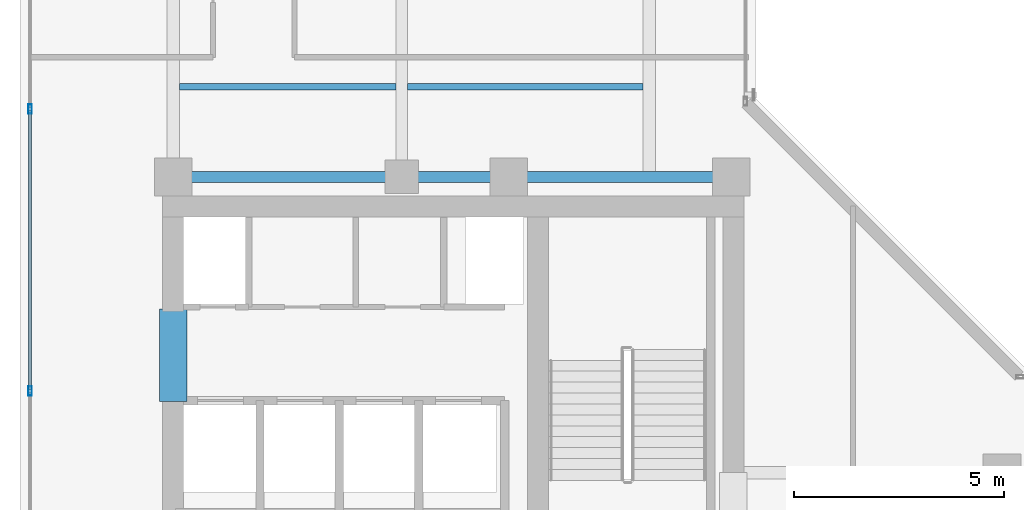
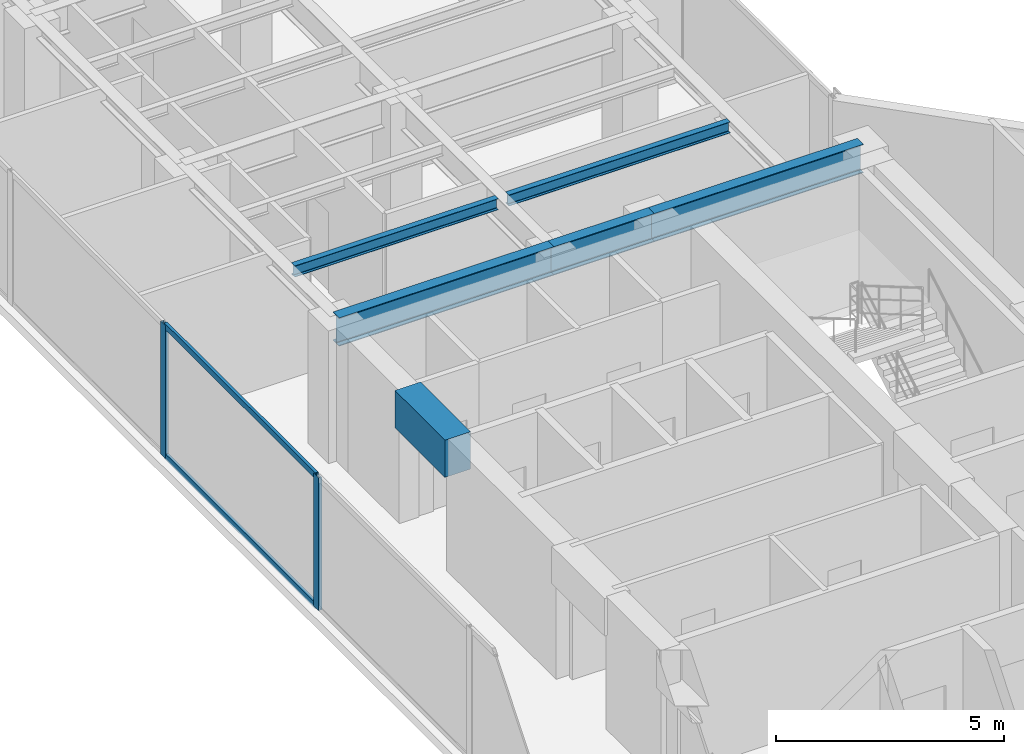
# One storey, part 6 of 23: 6 beams, 4 members, 1 element without a shape of its own.
"""IFC4 building model written with IfcOpenShell, lengths in metres."""

from ifc_helpers import new_model, si_unit, direction, frame, origin, origin_with_axes, origin_2d, place, context, subcontext, project, spatial, rectangle, hollow_rectangle, i_section, extrude, source, transform, mapped, material, layer, layer_set, material_profile, profile_set, type_object, element, aggregate, save


model = new_model("IFC4")

# Units and contexts
model_context = context("Model", 3, precision=1e-05, world=origin(), true_north=direction((0.0, 1.0)))
body_context = subcontext(model_context, "Body", "Model", "MODEL_VIEW")
ifc_project = project(units=[si_unit("LENGTHUNIT", "METRE"), si_unit("AREAUNIT", "SQUARE_METRE"), si_unit("VOLUMEUNIT", "CUBIC_METRE"), si_unit("PLANEANGLEUNIT", "RADIAN"), si_unit("MASSUNIT", "GRAM", prefix="KILO")], contexts=[model_context])

# Site, building, storey
site_placement = place(None, origin())
site = spatial("IfcSite", under=ifc_project, at=site_placement, CompositionType="ELEMENT")
building_placement = place(site_placement, origin())
building = spatial("IfcBuilding", under=site, at=building_placement, Name="Kolvaren Waterfront Exchange", CompositionType="ELEMENT")
storey_placement = place(building_placement, frame((0.0, 0.0, 289.39990234375)))
storey = spatial("IfcBuildingStorey", under=building, at=storey_placement, Name="L74", CompositionType="ELEMENT", Elevation=289.39990234375)

# Beams
ifc_material_1 = material(Name="Steel S355", Category="steel")
ifc_material_profile_1 = material_profile(ifc_material_1, i_section(OverallWidth=0.14990234375, OverallDepth=0.300048828125, WebThickness=0.007080078125, FlangeThickness=0.0107421875, FilletRadius=0.014892578125, at=origin_2d()), Name="IPE300")
ifc_profile_set_1 = profile_set([ifc_material_profile_1], Name="Steel S355")
beam_type_1 = type_object("IfcBeamType", Name="STR-BM-IPE300", PredefinedType="JOIST", material=ifc_profile_set_1)
beam_1_placement = place(storey_placement, frame((7.60205078125, 26.60009765625, 3.41015625), z_axis=(1.0, 0.0, 0.0), x_axis=(0.0, 1.0, 0.0)))
element("IfcBeam", 1, at=beam_1_placement, inside=storey, type_object=beam_type_1, Name="L74 north-arm composite joist 1A", PredefinedType="JOIST", context=body_context, shape_type="SweptSolid", body=[
    extrude(i_section(OverallWidth=0.14990234375, OverallDepth=0.300048828125, WebThickness=0.007080078125, FlangeThickness=0.0107421875, FilletRadius=0.014892578125, at=origin_2d()), origin(), (0.0, 0.0, 1.0), 5.162353515625),
])
beam_2_placement = place(storey_placement, frame((13.035400390625, 26.60009765625, 3.41015625), z_axis=(1.0, 0.0, 0.0), x_axis=(0.0, 1.0, 0.0)))
element("IfcBeam", 2, at=beam_2_placement, inside=storey, type_object=beam_type_1, Name="L74 north-arm composite joist 1B", PredefinedType="JOIST", context=body_context, shape_type="SweptSolid", body=[
    extrude(i_section(OverallWidth=0.14990234375, OverallDepth=0.300048828125, WebThickness=0.007080078125, FlangeThickness=0.0107421875, FilletRadius=0.014892578125, at=origin_2d()), origin(), (0.0, 0.0, 1.0), 5.612548828125),
])
ifc_material_profile_2 = material_profile(ifc_material_1, i_section(OverallWidth=0.26708984375, OverallDepth=0.761962890625, WebThickness=0.014404296875, FlangeThickness=0.021484375, FilletRadius=0.01708984375, at=origin_2d()), Name="IPE750x173")
ifc_profile_set_2 = profile_set([ifc_material_profile_2], Name="Steel S355")
beam_type_2 = type_object("IfcBeamType", Name="STR-BM-IPE750", PredefinedType="BEAM", material=ifc_profile_set_2)
beam_3_placement = place(storey_placement, frame((7.449951171875, 24.449951171875, 3.17919921875), z_axis=(1.0, 0.0, 0.0), x_axis=(0.0, 1.0, 0.0)))
element("IfcBeam", 3, at=beam_3_placement, inside=storey, type_object=beam_type_2, Name="L74 north-arm girder 1A", PredefinedType="BEAM", context=body_context, shape_type="SweptSolid", body=[
    extrude(i_section(OverallWidth=0.26708984375, OverallDepth=0.761962890625, WebThickness=0.014404296875, FlangeThickness=0.021484375, FilletRadius=0.01708984375, at=origin_2d()), origin(), (0.0, 0.0, 1.0), 5.449951171875),
])
beam_4_placement = place(storey_placement, frame((12.89990234375, 24.449951171875, 3.17919921875), z_axis=(1.0, 0.0, 0.0), x_axis=(0.0, 1.0, 0.0)))
element("IfcBeam", 4, at=beam_4_placement, inside=storey, type_object=beam_type_2, Name="L74 north-arm girder 1B", PredefinedType="BEAM", context=body_context, shape_type="SweptSolid", body=[
    extrude(i_section(OverallWidth=0.26708984375, OverallDepth=0.761962890625, WebThickness=0.014404296875, FlangeThickness=0.021484375, FilletRadius=0.01708984375, at=origin_2d()), origin(), (0.0, 0.0, 1.0), 2.550048828125),
])
beam_5_placement = place(storey_placement, frame((15.449951171875, 24.449951171875, 3.17919921875), z_axis=(1.0, 0.0, 0.0), x_axis=(0.0, 1.0, 0.0)))
element("IfcBeam", 5, at=beam_5_placement, inside=storey, type_object=beam_type_2, Name="L74 north-arm girder 1C", PredefinedType="BEAM", context=body_context, shape_type="SweptSolid", body=[
    extrude(i_section(OverallWidth=0.26708984375, OverallDepth=0.761962890625, WebThickness=0.014404296875, FlangeThickness=0.021484375, FilletRadius=0.01708984375, at=origin_2d()), origin(), (0.0, 0.0, 1.0), 5.300048828125),
])
ifc_material_2 = material(Name="Concrete C60/75", Category="concrete")
ifc_material_profile_3 = material_profile(ifc_material_2, rectangle(XDim=0.64990234375, YDim=1.0, at=origin_2d()), Name="RC-CB-1000x650")
ifc_profile_set_3 = profile_set([ifc_material_profile_3], Name="Concrete C60/75")
beam_type_3 = type_object("IfcBeamType", Name="STR-CB-1000", PredefinedType="SPANDREL", material=ifc_profile_set_3)
beam_6_placement = place(storey_placement, frame((7.449951171875, 19.10009765625, 3.06005859375), z_axis=(0.0, 1.0, 0.0), x_axis=(-1.0, 0.0, 0.0)))
element("IfcBeam", 6, at=beam_6_placement, inside=storey, type_object=beam_type_3, Name="L74 core coupling beam 5", PredefinedType="SPANDREL", context=body_context, shape_type="SweptSolid", body=[
    extrude(rectangle(XDim=0.64990234375, YDim=1.0, at=origin_2d()), origin(), (0.0, 0.0, 1.0), 2.199951171875),
])

# Curtain wall, members
ifc_material_3 = material(Name="Anodised aluminium 6063-T6", Category="aluminium")
ifc_layer = layer(ifc_material_3, 0.219970703125, Name="Anodised aluminium 6063-T6")
ifc_layer_set = layer_set([ifc_layer], Name="Anodised aluminium 6063-T6")
curtain_wall_type = type_object("IfcCurtainWallType", Name="ARC-CW-SYS2", PredefinedType="USERDEFINED", material=ifc_layer_set)
curtain_wall_placement = place(storey_placement, origin())
curtain_wall = element("IfcCurtainWall", 7, at=curtain_wall_placement, inside=storey, type_object=curtain_wall_type, Name="L74 stick curtain wall CW2 (CW-L74-W)", ObjectType="STICK CURTAIN WALL", PredefinedType="USERDEFINED")
ifc_material_profile_4 = material_profile(ifc_material_3, hollow_rectangle(XDim=0.080078125, YDim=0.219970703125, WallThickness=0.0048828125, at=origin_2d()), Name="ALU-MUL-220x80x5")
ifc_profile_set_4 = profile_set([ifc_material_profile_4], Name="Anodised aluminium 6063-T6")
member_type_1 = type_object("IfcMemberType", Name="ARC-CWM-220", PredefinedType="MULLION", material=ifc_profile_set_4)
shared_shape_1 = source(origin_with_axes(), body_context, "Body", "SweptSolid", [
    extrude(hollow_rectangle(XDim=0.080078125, YDim=0.219970703125, WallThickness=0.0048828125, at=origin_2d()), origin(), (0.0, 0.0, 1.0), 3.56005859375),
])
member_1_placement = place(storey_placement, frame((4.0400390625, 19.347412109375, 0.0), z_axis=(0.0, 0.0, 1.0), x_axis=(-1.0, 0.0, 0.0)))
member_1 = element("IfcMember", 8, at=member_1_placement, type_object=member_type_1, Name="CW2 mullion 3", PredefinedType="MULLION", context=body_context, shape_type="MappedRepresentation", body=[
    mapped(shared_shape_1, transform((0.0, 0.0, 0.0), x_axis=(1.0, 0.0, 0.0), y_axis=(0.0, 1.0, 0.0), z_axis=(0.0, 0.0, 1.0), scale=1.0)),
])
member_2_placement = place(storey_placement, frame((4.0400390625, 26.071044921875, 0.0), z_axis=(0.0, 0.0, 1.0), x_axis=(-1.0, 0.0, 0.0)))
member_2 = element("IfcMember", 9, at=member_2_placement, type_object=member_type_1, Name="CW2 mullion 4", PredefinedType="MULLION", context=body_context, shape_type="MappedRepresentation", body=[
    mapped(shared_shape_1, transform((0.0, 0.0, 0.0), x_axis=(1.0, 0.0, 0.0), y_axis=(0.0, 1.0, 0.0), z_axis=(0.0, 0.0, 1.0), scale=1.0)),
])
ifc_material_profile_5 = material_profile(ifc_material_3, hollow_rectangle(XDim=0.074951171875, YDim=0.159912109375, WallThickness=0.00439453125, at=origin_2d()), Name="ALU-TRN-160x75x4.5")
ifc_profile_set_5 = profile_set([ifc_material_profile_5], Name="Anodised aluminium 6063-T6")
member_type_2 = type_object("IfcMemberType", Name="ARC-CWT-160", PredefinedType="USERDEFINED", material=ifc_profile_set_5)
shared_shape_2 = source(origin_with_axes(), body_context, "Body", "SweptSolid", [
    extrude(hollow_rectangle(XDim=0.074951171875, YDim=0.159912109375, WallThickness=0.00439453125, at=origin_2d()), origin(), (0.0, 0.0, 1.0), 6.6435546875),
])
member_3_placement = place(storey_placement, frame((4.0400390625, 19.387451171875, 0.03759765625), z_axis=(0.0, 1.0, 0.0), x_axis=(-1.0, 0.0, 0.0)))
member_3 = element("IfcMember", 10, at=member_3_placement, type_object=member_type_2, Name="CW2 transom 3.1", ObjectType="TRANSOM", PredefinedType="USERDEFINED", context=body_context, shape_type="MappedRepresentation", body=[
    mapped(shared_shape_2, transform((0.0, 0.0, 0.0), x_axis=(1.0, 0.0, 0.0), y_axis=(0.0, 1.0, 0.0), z_axis=(0.0, 0.0, 1.0), scale=1.0)),
])
member_4_placement = place(storey_placement, frame((4.0400390625, 19.387451171875, 3.522705078125), z_axis=(0.0, 1.0, 0.0), x_axis=(-1.0, 0.0, 0.0)))
member_4 = element("IfcMember", 11, at=member_4_placement, type_object=member_type_2, Name="CW2 transom 3.2", ObjectType="TRANSOM", PredefinedType="USERDEFINED", context=body_context, shape_type="MappedRepresentation", body=[
    mapped(shared_shape_2, transform((0.0, 0.0, 0.0), x_axis=(1.0, 0.0, 0.0), y_axis=(0.0, 1.0, 0.0), z_axis=(0.0, 0.0, 1.0), scale=1.0)),
])
aggregate(curtain_wall, [member_1, member_2, member_3, member_4])

save(model, "model.ifc")
